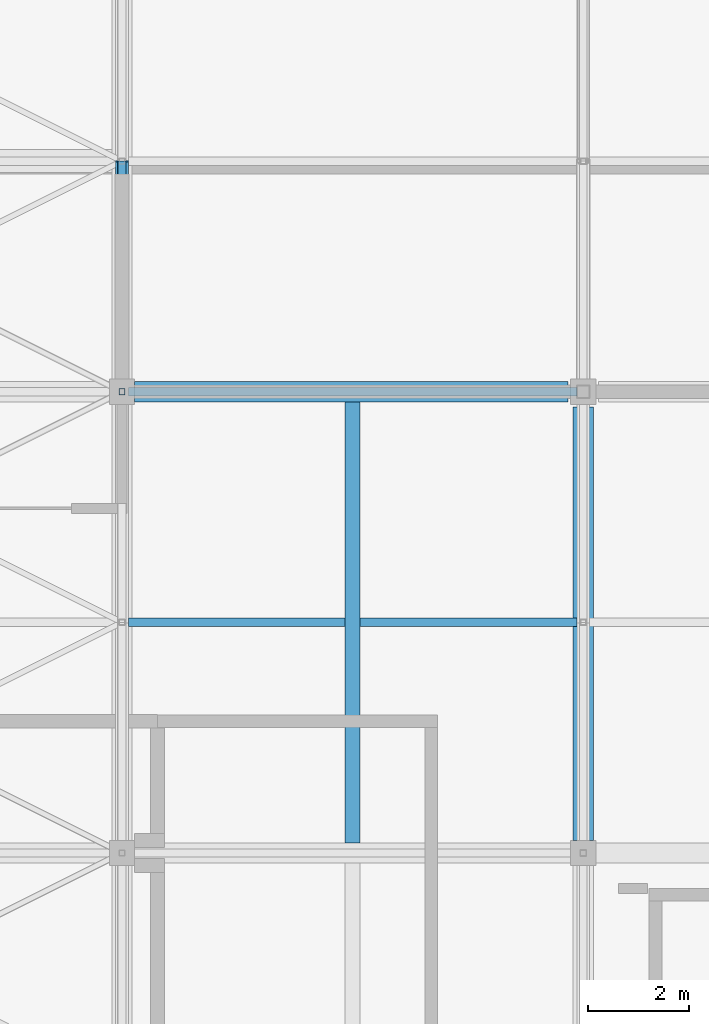
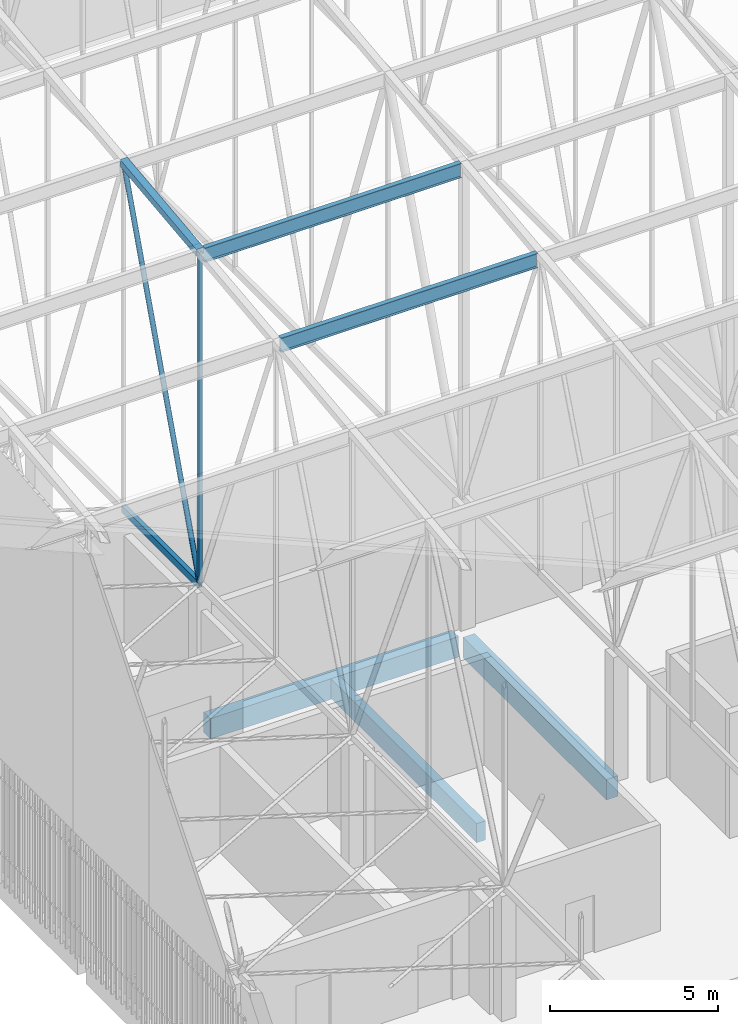
# One storey, part 57 of 500: 6 members, 3 beams.
"""IFC4 building model written with IfcOpenShell, lengths in metres."""

from ifc_helpers import new_model, si_unit, direction, frame, origin, origin_2d, place, context, subcontext, project, spatial, rectangle, hollow_rectangle, hollow_circle, i_section, extrude, material, material_profile, profile_set, type_object, element, save


model = new_model("IFC4")

# Units and contexts
model_context = context("Model", 3, precision=1e-05, world=origin(), true_north=direction((0.0, 1.0)))
body_context = subcontext(model_context, "Body", "Model", "MODEL_VIEW")
ifc_project = project(units=[si_unit("LENGTHUNIT", "METRE"), si_unit("AREAUNIT", "SQUARE_METRE"), si_unit("VOLUMEUNIT", "CUBIC_METRE"), si_unit("PLANEANGLEUNIT", "RADIAN"), si_unit("MASSUNIT", "GRAM", prefix="KILO")], contexts=[model_context])

# Site, building, storey
site_placement = place(None, origin())
site = spatial("IfcSite", under=ifc_project, at=site_placement, CompositionType="ELEMENT")
building_placement = place(site_placement, origin())
building = spatial("IfcBuilding", under=site, at=building_placement, Name="Shirokan Park Arena", CompositionType="ELEMENT")
storey_placement = place(building_placement, frame((0.0, 0.0, 29.1201171875)))
storey = spatial("IfcBuildingStorey", under=building, at=storey_placement, Name="L06", CompositionType="ELEMENT", Elevation=29.1201171875)

# Members
ifc_material_1 = material(Name="Steel ASTM A500 Grade C", Category="steel")
ifc_material_profile_1 = material_profile(ifc_material_1, hollow_rectangle(XDim=0.152099609375, YDim=0.25390625, WallThickness=0.009521484375, at=origin_2d()), Name="HSS254X152.4X9.5")
ifc_profile_set_1 = profile_set([ifc_material_profile_1], Name="Steel ASTM A500 Grade C")
member_type_1 = type_object("IfcMemberType", Name="Bottom chord HSS254X152.4X9.5", PredefinedType="CHORD", material=ifc_profile_set_1)
member_1_placement = place(storey_placement, frame((9.10009765625, 36.39990234375, 4.677001953125), z_axis=(0.0, 1.0, 0.0), x_axis=(-1.0, 0.0, 0.0)))
element("IfcMember", 1, at=member_1_placement, inside=storey, type_object=member_type_1, Name="Truss T02 bottom chord 11", PredefinedType="CHORD", context=body_context, shape_type="SweptSolid", body=[
    extrude(hollow_rectangle(XDim=0.152099609375, YDim=0.25390625, WallThickness=0.009521484375, at=origin_2d()), origin(), (0.0, 0.0, 1.0), 4.550048828125),
])
ifc_material_2 = material(Name="Steel ASTM A992", Category="steel")
ifc_material_profile_2 = material_profile(ifc_material_2, i_section(OverallWidth=0.166015625, OverallDepth=0.528076171875, WebThickness=0.009765625, FlangeThickness=0.013671875, at=origin_2d()), Name="W530X74")
ifc_profile_set_2 = profile_set([ifc_material_profile_2], Name="Steel ASTM A992")
member_type_2 = type_object("IfcMemberType", Name="Purlin W530X74", PredefinedType="PURLIN", material=ifc_profile_set_2)
for number, where, z_axis, x_axis, name in (
    (2, (9.22705078125, 31.85009765625, 16.1259765625), (1.0, 0.0, 0.0), (0.0, 1.0, 0.0), "Purlin 10 bay 2"),
    (3, (9.22705078125, 36.39990234375, 16.64599609375), (1.0, 0.0, 0.0), (0.0, 1.0, 0.0), "Purlin 11 bay 2"),
):
    element("IfcMember", number, at=place(storey_placement, frame(where, z_axis=z_axis, x_axis=x_axis)), inside=storey, type_object=member_type_2, Name=name, PredefinedType="PURLIN", context=body_context, shape_type="SweptSolid", body=[
        extrude(i_section(OverallWidth=0.166015625, OverallDepth=0.528076171875, WebThickness=0.009765625, FlangeThickness=0.013671875, at=origin_2d()), origin(), (0.0, 0.0, 1.0), 8.845947265625),
    ])

# Beams
ifc_material_3 = material(Name="Concrete C35", Category="concrete")
ifc_material_profile_3 = material_profile(ifc_material_3, rectangle(XDim=0.39990234375, YDim=0.75, at=origin_2d()), Name="400x750")
ifc_profile_set_3 = profile_set([ifc_material_profile_3], Name="Concrete C35")
beam_type_1 = type_object("IfcBeamType", Name="RC girder 400x750", PredefinedType="BEAM", material=ifc_profile_set_3)
for number, where, z_axis, x_axis, name in (
    (4, (9.35009765625, 36.39990234375, -0.5751953125), (1.0, 0.0, 0.0), (0.0, 1.0, 0.0), "Girder 2E-3E L06"),
    (5, (18.199951171875, 27.550048828125, -0.5751953125), (0.0, 1.0, 0.0), (-1.0, 0.0, 0.0), "Girder 3D-3E L06"),
):
    element("IfcBeam", number, at=place(storey_placement, frame(where, z_axis=z_axis, x_axis=x_axis)), inside=storey, type_object=beam_type_1, Name=name, PredefinedType="BEAM", context=body_context, shape_type="SweptSolid", body=[
        extrude(rectangle(XDim=0.39990234375, YDim=0.75, at=origin_2d()), origin(), (0.0, 0.0, 1.0), 8.5498046875),
    ])
ifc_material_profile_4 = material_profile(ifc_material_3, rectangle(XDim=0.300048828125, YDim=0.699951171875, at=origin_2d()), Name="300x700")
ifc_profile_set_4 = profile_set([ifc_material_profile_4], Name="Concrete C35")
beam_type_2 = type_object("IfcBeamType", Name="RC joist 300x700", PredefinedType="JOIST", material=ifc_profile_set_4)
beam_placement = place(storey_placement, frame((13.64990234375, 27.5, -0.550048828125), z_axis=(0.0, 1.0, 0.0), x_axis=(-1.0, 0.0, 0.0)))
element("IfcBeam", 6, at=beam_placement, inside=storey, type_object=beam_type_2, Name="Joist 2D L06", PredefinedType="JOIST", context=body_context, shape_type="SweptSolid", body=[
    extrude(rectangle(XDim=0.300048828125, YDim=0.699951171875, at=origin_2d()), origin(), (0.0, 0.0, 1.0), 8.699951171875),
])

# Members
ifc_material_profile_5 = material_profile(ifc_material_1, hollow_rectangle(XDim=0.25390625, YDim=0.25390625, WallThickness=0.009521484375, at=origin_2d()), Name="HSS254X254X9.5")
ifc_profile_set_5 = profile_set([ifc_material_profile_5], Name="Steel ASTM A500 Grade C")
member_type_3 = type_object("IfcMemberType", Name="Top chord HSS254X254X9.5", PredefinedType="CHORD", material=ifc_profile_set_5)
member_2_placement = place(storey_placement, frame((9.10009765625, 36.39990234375, 16.782958984375), z_axis=(0.0, 0.993532328996, 0.113549598152), x_axis=(-1.0, 0.0, 0.0)))
element("IfcMember", 7, at=member_2_placement, inside=storey, type_object=member_type_3, Name="Truss T02 top chord 11", PredefinedType="CHORD", context=body_context, shape_type="SweptSolid", body=[
    extrude(hollow_rectangle(XDim=0.25390625, YDim=0.25390625, WallThickness=0.009521484375, at=origin_2d()), origin(), (0.0, 0.0, 1.0), 4.57958984375),
])
ifc_material_profile_6 = material_profile(ifc_material_1, hollow_circle(Radius=0.083984375, WallThickness=0.009521484375, at=origin_2d()), Name="HSS168.3X9.5")
ifc_profile_set_6 = profile_set([ifc_material_profile_6], Name="Steel ASTM A500 Grade C")
member_type_4 = type_object("IfcMemberType", Name="Truss diagonal HSS168.3X9.5", PredefinedType="BRACE", material=ifc_profile_set_6)
member_3_placement = place(storey_placement, frame((9.10009765625, 36.39990234375, 4.677001953125), z_axis=(0.0, 0.339029292845, 0.940775817394), x_axis=(-1.0, 0.0, 0.0)))
element("IfcMember", 8, at=member_3_placement, inside=storey, type_object=member_type_4, Name="Truss T02 diagonal 11", PredefinedType="BRACE", context=body_context, shape_type="SweptSolid", body=[
    extrude(hollow_circle(Radius=0.083984375, WallThickness=0.009521484375, at=origin_2d()), origin(), (0.0, 0.0, 1.0), 13.4208984375),
])
ifc_material_profile_7 = material_profile(ifc_material_1, hollow_rectangle(XDim=0.126953125, YDim=0.126953125, WallThickness=0.0126953125, at=origin_2d()), Name="HSS127X127X12.7")
ifc_profile_set_7 = profile_set([ifc_material_profile_7], Name="Steel ASTM A500 Grade C")
member_type_5 = type_object("IfcMemberType", Name="Truss post HSS127X127X12.7", PredefinedType="POST", material=ifc_profile_set_7)
member_4_placement = place(storey_placement, frame((9.10009765625, 36.39990234375, 4.677001953125), z_axis=(0.0, 0.0, 1.0), x_axis=(1.0, 0.0, 0.0)))
element("IfcMember", 9, at=member_4_placement, inside=storey, type_object=member_type_5, Name="Truss T02 post 11", PredefinedType="POST", context=body_context, shape_type="SweptSolid", body=[
    extrude(hollow_rectangle(XDim=0.126953125, YDim=0.126953125, WallThickness=0.0126953125, at=origin_2d()), origin(), (0.0, 0.0, 1.0), 12.10595703125),
])

save(model, "model.ifc")
